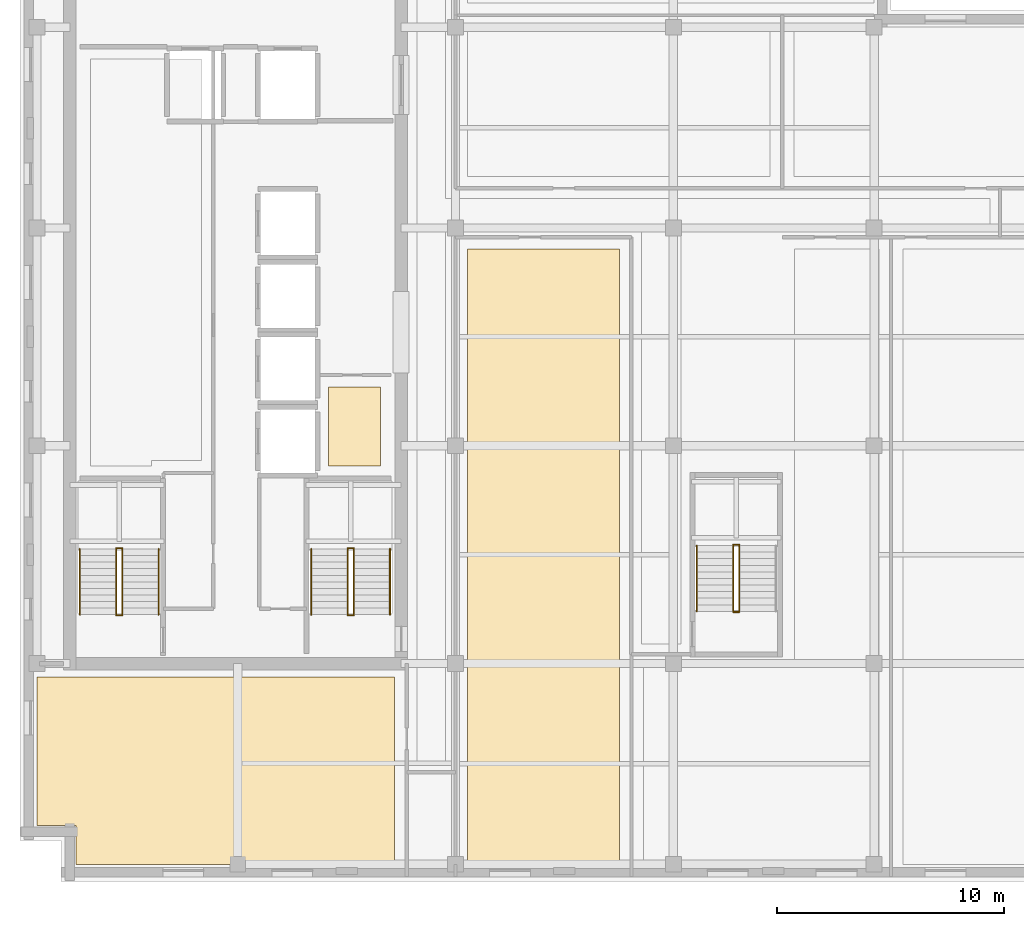
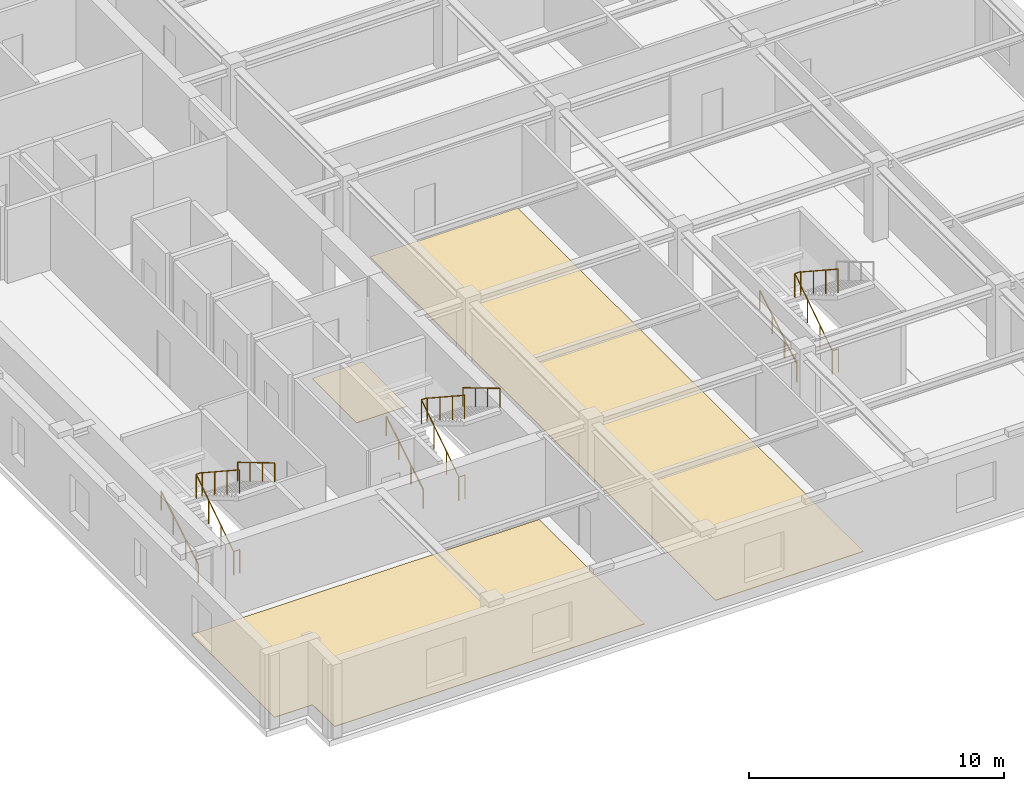
# One storey, part 6 of 10: 17 railings, 3 coverings.
"""IFC4 building model written with IfcOpenShell, lengths in metres."""

import ifcopenshell
import ifcopenshell.guid

model = None  # the IFC model being written
_history = None  # IfcOwnerHistory: only IFC2X3 demands one
_inside = {}  # id of a spatial element -> (the spatial element, [elements in it])
_under = {}  # id of a project, library or spatial element -> (it, [spatial elements below it])
_declared = {}  # id of a project -> (the project, [libraries it declares])
_typed = {}  # id of a type object -> (the type object, [elements of that type])
_made_of = {}  # id of a material, layer set ... -> (it, [elements and type objects made of it])


def new_model(schema):
    """Start an empty IFC model of exactly this schema.

    Asked for "IFC4X3", IfcOpenShell would pick the latest addendum, in which some entities
    have other attributes; the version numbers below select the first issue.
    IFC2X3 requires an IfcOwnerHistory on every rooted entity: one is made here for all.
    """
    global model, _history
    if schema == "IFC4X3":
        model = ifcopenshell.file(schema_version=(4, 3, 0, 0))
    else:
        model = ifcopenshell.file(schema=schema)
    _inside.clear()
    _under.clear()
    _declared.clear()
    _typed.clear()
    _made_of.clear()
    _history = None
    if model.schema == "IFC2X3":
        org = make("IfcOrganization", Name="unknown")
        user = make(
            "IfcPersonAndOrganization",
            ThePerson=make("IfcPerson", FamilyName="unknown"),
            TheOrganization=org,
        )
        app = make(
            "IfcApplication",
            ApplicationDeveloper=org,
            Version="unknown",
            ApplicationFullName="unknown",
            ApplicationIdentifier="unknown",
        )
        _history = make(
            "IfcOwnerHistory",
            OwningUser=user,
            OwningApplication=app,
            ChangeAction="ADDED",
            CreationDate=0,
        )
    return model


def make(cls, **values):
    """One entity of the class cls with the attributes given. An attribute that is None is left unset."""
    return model.create_entity(
        cls, **{name: value for name, value in values.items() if value is not None}
    )


def rooted(cls, **values):
    """An entity with a GlobalId (a new one), such as an element, a storey or a relation."""
    return make(cls, GlobalId=ifcopenshell.guid.new(), OwnerHistory=_history, **values)


def si_unit(unit_type, name, prefix=None):
    """IfcSIUnit, for example si_unit("LENGTHUNIT", "METRE", prefix="MILLI")."""
    return make("IfcSIUnit", UnitType=unit_type, Prefix=prefix, Name=name)


def assignment(units):
    """IfcUnitAssignment: the units of a project."""
    return None if units is None else make("IfcUnitAssignment", Units=units)


def point(xyz):
    """IfcCartesianPoint."""
    return None if xyz is None else make("IfcCartesianPoint", Coordinates=xyz)


def direction(xyz):
    """IfcDirection."""
    return None if xyz is None else make("IfcDirection", DirectionRatios=xyz)


def frame(location, z_axis=None, x_axis=None):
    """IfcAxis2Placement3D, a coordinate frame: its origin and axes. An axis left out is left unset."""
    return make(
        "IfcAxis2Placement3D",
        Location=point(location),
        Axis=direction(z_axis),
        RefDirection=direction(x_axis),
    )


def frame_2d(location, x_axis=None):
    """IfcAxis2Placement2D, a coordinate frame in the plane: its origin and x axis."""
    return make(
        "IfcAxis2Placement2D", Location=point(location), RefDirection=direction(x_axis)
    )


def origin():
    """The frame at (0, 0, 0) with its axes left unset."""
    return frame((0.0, 0.0, 0.0))


def origin_2d():
    """The frame at (0, 0) in the plane with its x axis left unset."""
    return frame_2d((0.0, 0.0))


def place(relative_to, where):
    """IfcLocalPlacement: puts the frame where relative to a parent placement (None: the world)."""
    return make(
        "IfcLocalPlacement", PlacementRelTo=relative_to, RelativePlacement=where
    )


def context(
    kind, dimensions, precision=None, world=None, true_north=None, identifier=None
):
    """IfcGeometricRepresentationContext, for example the 3D "Model" context."""
    return make(
        "IfcGeometricRepresentationContext",
        ContextIdentifier=identifier,
        ContextType=kind,
        CoordinateSpaceDimension=dimensions,
        Precision=precision,
        WorldCoordinateSystem=world,
        TrueNorth=true_north,
    )


def subcontext(parent, identifier, kind, view, scale=None):
    """IfcGeometricRepresentationSubContext, for example "Body" below "Model"."""
    return make(
        "IfcGeometricRepresentationSubContext",
        ContextIdentifier=identifier,
        ContextType=kind,
        ParentContext=parent,
        TargetScale=scale,
        TargetView=view,
    )


def project(units=None, contexts=None):
    """IfcProject with its units and contexts."""
    return rooted(
        "IfcProject",
        Name="project",
        RepresentationContexts=contexts,
        UnitsInContext=assignment(units),
    )


def spatial(cls, under=None, at=None, **own):
    """A site, building, storey or space (cls), placed at a placement, below another one or the project."""
    s = rooted(cls, ObjectPlacement=at, **own)
    if under is not None:
        _under.setdefault(under.id(), (under, []))[1].append(s)
    return s


def polyline(points):
    """IfcPolyline through the points."""
    return make("IfcPolyline", Points=[point(p) for p in points])


def profile(cls, at=None, kind="AREA", **sizes):
    """A parametric profile (cls). Its sizes go by their IFC names, for example OverallWidth=200.0."""
    return make(cls, ProfileType=kind, Position=at, **sizes)


def circle(**sizes):
    """IfcCircleProfileDef."""
    return profile("IfcCircleProfileDef", **sizes)


def outline(outer, holes=None, kind="AREA"):
    """IfcArbitraryClosedProfileDef: a profile drawn as a closed curve; with holes, ...WithVoids."""
    if holes is None:
        return make("IfcArbitraryClosedProfileDef", ProfileType=kind, OuterCurve=outer)
    return make(
        "IfcArbitraryProfileDefWithVoids",
        ProfileType=kind,
        OuterCurve=outer,
        InnerCurves=holes,
    )


def extrude(swept, where, along, depth):
    """IfcExtrudedAreaSolid: the profile swept, set in the frame where, extruded along a direction by depth."""
    return make(
        "IfcExtrudedAreaSolid",
        SweptArea=swept,
        Position=where,
        ExtrudedDirection=direction(along),
        Depth=depth,
    )


def shape(context_of_items, identifier, shape_type, items):
    """IfcShapeRepresentation: the items that make up one representation, for example the "Body"."""
    return make(
        "IfcShapeRepresentation",
        ContextOfItems=context_of_items,
        RepresentationIdentifier=identifier,
        RepresentationType=shape_type,
        Items=items,
    )


def material(Name=None, Category=None):
    """IfcMaterial."""
    return make("IfcMaterial", Name=Name, Category=Category)


def layer(
    of_material, thickness, ventilated=None, Name=None, Category=None, Priority=None
):
    """IfcMaterialLayer: one layer of a wall or slab, of a material (None: an air gap)."""
    return make(
        "IfcMaterialLayer",
        Material=of_material,
        LayerThickness=thickness,
        IsVentilated=ventilated,
        Name=Name,
        Category=Category,
        Priority=Priority,
    )


def layer_set(layers, Name=None):
    """IfcMaterialLayerSet."""
    return make("IfcMaterialLayerSet", MaterialLayers=layers, LayerSetName=Name)


def made_of(thing, what):
    """Note that an element or type object is made of a material, layer set ...; save() writes the relation."""
    if what is not None:
        _made_of.setdefault(what.id(), (what, []))[1].append(thing)
    return thing


def type_object(cls, material=None, **own):
    """A type object (cls), such as IfcWallType, which elements share."""
    return made_of(rooted(cls, **own), material)


def element(
    cls,
    number,
    at=None,
    inside=None,
    cuts=None,
    type_object=None,
    material=None,
    context=None,
    identifier="Body",
    shape_type=None,
    held_by="IfcProductDefinitionShape",
    body=None,
    shapes=None,
    **own,
):
    """One element of the class cls, such as IfcWall. Its Tag is "e" and its number.

    at: its placement. inside: the storey or other place that contains it. cuts: it is an
    opening in that element (IfcRelVoidsElement). A single representation is given by context,
    identifier, shape_type and body (its items); several are given by shapes. held_by: the class
    of the entity that holds the representations. save() writes the other relations.
    """
    e = rooted(cls, Tag="e%d" % number, ObjectPlacement=at, **own)
    if body is not None:
        shapes = [shape(context, identifier, shape_type, body)]
    if shapes is not None:
        e.Representation = make(held_by, Representations=shapes)
    if inside is not None:
        _inside.setdefault(inside.id(), (inside, []))[1].append(e)
    if cuts is not None:
        rooted(
            "IfcRelVoidsElement", RelatingBuildingElement=cuts, RelatedOpeningElement=e
        )
    if type_object is not None:
        _typed.setdefault(type_object.id(), (type_object, []))[1].append(e)
    return made_of(e, material)


def aggregate(whole, parts):
    """IfcRelAggregates: a whole, such as a stair, and the parts it consists of."""
    return rooted("IfcRelAggregates", RelatingObject=whole, RelatedObjects=parts)


def save(model, path):
    """Write the relations noted so far, then the file.

    IfcRelAggregates (storeys below a building ...), IfcRelContainedInSpatialStructure (elements
    in a storey), IfcRelDefinesByType, IfcRelAssociatesMaterial and IfcRelDeclares: one each for
    every whole, place, type object, material and project.
    """
    for whole, parts in _under.values():
        aggregate(whole, parts)
    for where, things in _inside.values():
        rooted(
            "IfcRelContainedInSpatialStructure",
            RelatedElements=things,
            RelatingStructure=where,
        )
    for kind, things in _typed.values():
        rooted("IfcRelDefinesByType", RelatedObjects=things, RelatingType=kind)
    for what, things in _made_of.values():
        rooted("IfcRelAssociatesMaterial", RelatedObjects=things, RelatingMaterial=what)
    for by, libraries in _declared.values():
        rooted("IfcRelDeclares", RelatingContext=by, RelatedDefinitions=libraries)
    model.write(path)


model = new_model("IFC4")

# Units and contexts
model_context = context("Model", 3, precision=1e-05, world=origin(), true_north=direction((0.0, 1.0)))
body_context = subcontext(model_context, "Body", "Model", "MODEL_VIEW")
ifc_project = project(units=[si_unit("LENGTHUNIT", "METRE"), si_unit("AREAUNIT", "SQUARE_METRE"), si_unit("VOLUMEUNIT", "CUBIC_METRE"), si_unit("PLANEANGLEUNIT", "RADIAN"), si_unit("MASSUNIT", "GRAM", prefix="KILO")], contexts=[model_context])

# Site, building, storey
site_placement = place(None, origin())
site = spatial("IfcSite", under=ifc_project, at=site_placement, CompositionType="ELEMENT")
building_placement = place(site_placement, origin())
building = spatial("IfcBuilding", under=site, at=building_placement, Name="Norrvale University Quadrangle", CompositionType="ELEMENT")
storey_placement = place(building_placement, frame((0.0, 0.0, 296.199951171875)))
storey = spatial("IfcBuildingStorey", under=building, at=storey_placement, Name="L75", CompositionType="ELEMENT", Elevation=296.199951171875)

# Coverings
ifc_material_1 = material(Name="Polished Terrazzo Flooring")
ifc_layer = layer(ifc_material_1, 0.02490234375, Name="Polished Terrazzo Flooring")
ifc_layer_set = layer_set([ifc_layer], Name="Polished Terrazzo Flooring")
covering_type = type_object("IfcCoveringType", Name="Covering Terrazzo Floor 30", PredefinedType="FLOORING", material=ifc_layer_set)
covering_1_placement = place(storey_placement, origin())
element("IfcCovering", 1, at=covering_1_placement, inside=storey, type_object=covering_type, Name="Terrazzo Flooring RM-L75-JAN", PredefinedType="FLOORING", context=body_context, shape_type="SweptSolid", body=[
    extrude(outline(polyline([(13.60009765625, 18.300048828125), (13.60009765625, 21.800048828125), (15.89990234375, 21.800048828125), (15.89990234375, 18.300048828125), (13.60009765625, 18.300048828125)])), origin(), (0.0, 0.0, 1.0), 0.025146484375),
])
covering_2_placement = place(storey_placement, origin())
element("IfcCovering", 2, at=covering_2_placement, inside=storey, type_object=covering_type, Name="Terrazzo Flooring RM-L75-SW1", PredefinedType="FLOORING", context=body_context, shape_type="SweptSolid", body=[
    extrude(outline(polyline([(0.75, 9.0), (16.5, 9.0), (16.5, 0.75), (2.469970703125, 0.75), (2.469970703125, 2.469970703125), (0.75, 2.469970703125), (0.75, 9.0)])), origin(), (0.0, 0.0, 1.0), 0.025146484375),
])
covering_3_placement = place(storey_placement, origin())
element("IfcCovering", 3, at=covering_3_placement, inside=storey, type_object=covering_type, Name="Terrazzo Flooring RM-L75-SE1", PredefinedType="FLOORING", context=body_context, shape_type="SweptSolid", body=[
    extrude(outline(polyline([(19.72998046875, 27.8701171875), (26.419921875, 27.8701171875), (26.419921875, 0.75), (19.72998046875, 0.75), (19.72998046875, 27.8701171875)])), origin(), (0.0, 0.0, 1.0), 0.025146484375),
])

# Railings
ifc_material_2 = material(Name="Steel 350W Painted Balustrade", Category="steel")
railing_type_1 = type_object("IfcRailingType", Name="Railing Stair Guard 1100", PredefinedType="GUARDRAIL", material=ifc_material_2)
for number, where, name in (
    (4, (4.239990234375, 11.719970703125, 0.0), "Stair Floor Well Guard ST-01 L75"),
    (5, (4.239990234375, 14.679931640625, 1.900146484375), "Stair Mid-Landing Slot Guard ST-01 L75"),
):
    element("IfcRailing", number, at=place(storey_placement, frame(where)), inside=storey, type_object=railing_type_1, Name=name, PredefinedType="GUARDRAIL", context=body_context, shape_type="SweptSolid", body=[
        extrude(circle(Radius=0.02392578125, at=origin_2d()), frame((0.0, 0.0, 1.1259765625), z_axis=(1.0, 0.0, 0.0), x_axis=(0.0, 1.0, 0.0)), (0.0, 0.0, 1.0), 0.27001953125),
        extrude(circle(Radius=0.02099609375, at=origin_2d()), origin(), (0.0, 0.0, 1.0), 1.101806640625),
        extrude(circle(Radius=0.02099609375, at=origin_2d()), frame((0.27001953125, 0.0, 0.0)), (0.0, 0.0, 1.0), 1.101806640625),
    ])
railing_1_placement = place(storey_placement, frame((4.239990234375, 11.75, 0.0)))
element("IfcRailing", 6, at=railing_1_placement, inside=storey, type_object=railing_type_1, Name="Stair Lower Flight Inner Guard ST-01 L75", PredefinedType="GUARDRAIL", context=body_context, shape_type="SweptSolid", body=[
    extrude(circle(Radius=0.02392578125, at=origin_2d()), frame((0.0, 0.0, 1.1259765625), z_axis=(0.0, 0.836433300813, 0.548068730445), x_axis=(-1.0, 0.0, 0.0)), (0.0, 0.0, 1.0), 3.467041015625),
    extrude(circle(Radius=0.02099609375, at=origin_2d()), origin(), (0.0, 0.0, 1.0), 1.101806640625),
    extrude(circle(Radius=0.02099609375, at=origin_2d()), frame((0.0, 0.966552734375, 0.63330078125)), (0.0, 0.0, 1.0), 1.101806640625),
    extrude(circle(Radius=0.02099609375, at=origin_2d()), frame((0.0, 1.933349609375, 1.266845703125)), (0.0, 0.0, 1.0), 1.101806640625),
    extrude(circle(Radius=0.02099609375, at=origin_2d()), frame((0.0, 2.89990234375, 1.900146484375)), (0.0, 0.0, 1.0), 1.101806640625),
])
railing_2_placement = place(storey_placement, frame((4.510009765625, 14.64990234375, 1.900146484375)))
element("IfcRailing", 7, at=railing_2_placement, inside=storey, type_object=railing_type_1, Name="Stair Upper Flight Inner Guard ST-01 L75", PredefinedType="GUARDRAIL", context=body_context, shape_type="SweptSolid", body=[
    extrude(circle(Radius=0.02392578125, at=origin_2d()), frame((0.0, 0.0, 1.1259765625), z_axis=(0.0, -0.836465582154, 0.548019461216), x_axis=(1.0, 0.0, 0.0)), (0.0, 0.0, 1.0), 3.466796875),
    extrude(circle(Radius=0.02099609375, at=origin_2d()), origin(), (0.0, 0.0, 1.0), 1.101806640625),
    extrude(circle(Radius=0.02099609375, at=origin_2d()), frame((0.0, -0.966552734375, 0.63330078125)), (0.0, 0.0, 1.0), 1.101806640625),
    extrude(circle(Radius=0.02099609375, at=origin_2d()), frame((0.0, -1.933349609375, 1.2666015625)), (0.0, 0.0, 1.0), 1.101806640625),
    extrude(circle(Radius=0.02099609375, at=origin_2d()), frame((0.0, -2.89990234375, 1.89990234375)), (0.0, 0.0, 1.0), 1.101806640625),
])
for number, where, name in (
    (8, (14.43994140625, 11.719970703125, 0.0), "Stair Floor Well Guard ST-03 L75"),
    (9, (14.43994140625, 14.679931640625, 1.900146484375), "Stair Mid-Landing Slot Guard ST-03 L75"),
):
    element("IfcRailing", number, at=place(storey_placement, frame(where)), inside=storey, type_object=railing_type_1, Name=name, PredefinedType="GUARDRAIL", context=body_context, shape_type="SweptSolid", body=[
        extrude(circle(Radius=0.02392578125, at=origin_2d()), frame((0.0, 0.0, 1.1259765625), z_axis=(1.0, 0.0, 0.0), x_axis=(0.0, 1.0, 0.0)), (0.0, 0.0, 1.0), 0.27001953125),
        extrude(circle(Radius=0.02099609375, at=origin_2d()), origin(), (0.0, 0.0, 1.0), 1.101806640625),
        extrude(circle(Radius=0.02099609375, at=origin_2d()), frame((0.27001953125, 0.0, 0.0)), (0.0, 0.0, 1.0), 1.101806640625),
    ])
railing_3_placement = place(storey_placement, frame((14.43994140625, 11.75, 0.0)))
element("IfcRailing", 10, at=railing_3_placement, inside=storey, type_object=railing_type_1, Name="Stair Lower Flight Inner Guard ST-03 L75", PredefinedType="GUARDRAIL", context=body_context, shape_type="SweptSolid", body=[
    extrude(circle(Radius=0.02392578125, at=origin_2d()), frame((0.0, 0.0, 1.1259765625), z_axis=(0.0, 0.836433300813, 0.548068730445), x_axis=(-1.0, 0.0, 0.0)), (0.0, 0.0, 1.0), 3.467041015625),
    extrude(circle(Radius=0.02099609375, at=origin_2d()), origin(), (0.0, 0.0, 1.0), 1.101806640625),
    extrude(circle(Radius=0.02099609375, at=origin_2d()), frame((0.0, 0.966552734375, 0.63330078125)), (0.0, 0.0, 1.0), 1.101806640625),
    extrude(circle(Radius=0.02099609375, at=origin_2d()), frame((0.0, 1.933349609375, 1.266845703125)), (0.0, 0.0, 1.0), 1.101806640625),
    extrude(circle(Radius=0.02099609375, at=origin_2d()), frame((0.0, 2.89990234375, 1.900146484375)), (0.0, 0.0, 1.0), 1.101806640625),
])
railing_4_placement = place(storey_placement, frame((14.7099609375, 14.64990234375, 1.900146484375)))
element("IfcRailing", 11, at=railing_4_placement, inside=storey, type_object=railing_type_1, Name="Stair Upper Flight Inner Guard ST-03 L75", PredefinedType="GUARDRAIL", context=body_context, shape_type="SweptSolid", body=[
    extrude(circle(Radius=0.02392578125, at=origin_2d()), frame((0.0, 0.0, 1.1259765625), z_axis=(0.0, -0.836465582154, 0.548019461216), x_axis=(1.0, 0.0, 0.0)), (0.0, 0.0, 1.0), 3.466796875),
    extrude(circle(Radius=0.02099609375, at=origin_2d()), origin(), (0.0, 0.0, 1.0), 1.101806640625),
    extrude(circle(Radius=0.02099609375, at=origin_2d()), frame((0.0, -0.966552734375, 0.63330078125)), (0.0, 0.0, 1.0), 1.101806640625),
    extrude(circle(Radius=0.02099609375, at=origin_2d()), frame((0.0, -1.933349609375, 1.2666015625)), (0.0, 0.0, 1.0), 1.101806640625),
    extrude(circle(Radius=0.02099609375, at=origin_2d()), frame((0.0, -2.89990234375, 1.89990234375)), (0.0, 0.0, 1.0), 1.101806640625),
])
for number, where, name in (
    (12, (31.43994140625, 11.8701171875, 0.0), "Stair Floor Well Guard ST-04 L75"),
    (13, (31.43994140625, 14.830078125, 1.900146484375), "Stair Mid-Landing Slot Guard ST-04 L75"),
):
    element("IfcRailing", number, at=place(storey_placement, frame(where)), inside=storey, type_object=railing_type_1, Name=name, PredefinedType="GUARDRAIL", context=body_context, shape_type="SweptSolid", body=[
        extrude(circle(Radius=0.02392578125, at=origin_2d()), frame((0.0, 0.0, 1.1259765625), z_axis=(1.0, 0.0, 0.0), x_axis=(0.0, 1.0, 0.0)), (0.0, 0.0, 1.0), 0.27001953125),
        extrude(circle(Radius=0.02099609375, at=origin_2d()), origin(), (0.0, 0.0, 1.0), 1.101806640625),
        extrude(circle(Radius=0.02099609375, at=origin_2d()), frame((0.27001953125, 0.0, 0.0)), (0.0, 0.0, 1.0), 1.101806640625),
    ])
railing_5_placement = place(storey_placement, frame((31.43994140625, 11.89990234375, 0.0)))
element("IfcRailing", 14, at=railing_5_placement, inside=storey, type_object=railing_type_1, Name="Stair Lower Flight Inner Guard ST-04 L75", PredefinedType="GUARDRAIL", context=body_context, shape_type="SweptSolid", body=[
    extrude(circle(Radius=0.02392578125, at=origin_2d()), frame((0.0, 0.0, 1.1259765625), z_axis=(0.0, 0.836454451266, 0.548036450392), x_axis=(-1.0, 0.0, 0.0)), (0.0, 0.0, 1.0), 3.46728515625),
    extrude(circle(Radius=0.02099609375, at=origin_2d()), origin(), (0.0, 0.0, 1.0), 1.101806640625),
    extrude(circle(Radius=0.02099609375, at=origin_2d()), frame((0.0, 0.966796875, 0.63330078125)), (0.0, 0.0, 1.0), 1.101806640625),
    extrude(circle(Radius=0.02099609375, at=origin_2d()), frame((0.0, 1.933349609375, 1.266845703125)), (0.0, 0.0, 1.0), 1.101806640625),
    extrude(circle(Radius=0.02099609375, at=origin_2d()), frame((0.0, 2.900146484375, 1.900146484375)), (0.0, 0.0, 1.0), 1.101806640625),
])
railing_6_placement = place(storey_placement, frame((31.7099609375, 14.800048828125, 1.900146484375)))
element("IfcRailing", 15, at=railing_6_placement, inside=storey, type_object=railing_type_1, Name="Stair Upper Flight Inner Guard ST-04 L75", PredefinedType="GUARDRAIL", context=body_context, shape_type="SweptSolid", body=[
    extrude(circle(Radius=0.02392578125, at=origin_2d()), frame((0.0, 0.0, 1.1259765625), z_axis=(0.0, -0.836486729621, 0.547987181573), x_axis=(1.0, 0.0, 0.0)), (0.0, 0.0, 1.0), 3.467041015625),
    extrude(circle(Radius=0.02099609375, at=origin_2d()), origin(), (0.0, 0.0, 1.0), 1.101806640625),
    extrude(circle(Radius=0.02099609375, at=origin_2d()), frame((0.0, -0.966796875, 0.63330078125)), (0.0, 0.0, 1.0), 1.101806640625),
    extrude(circle(Radius=0.02099609375, at=origin_2d()), frame((0.0, -1.933349609375, 1.2666015625)), (0.0, 0.0, 1.0), 1.101806640625),
    extrude(circle(Radius=0.02099609375, at=origin_2d()), frame((0.0, -2.900146484375, 1.89990234375)), (0.0, 0.0, 1.0), 1.101806640625),
])
ifc_material_3 = material(Name="Stainless Steel 316L Handrail", Category="steel")
railing_type_2 = type_object("IfcRailingType", Name="Railing Stair Handrail 920", PredefinedType="HANDRAIL", material=ifc_material_3)
railing_7_placement = place(storey_placement, frame((2.639892578125, 11.75, 0.1728515625)))
element("IfcRailing", 16, at=railing_7_placement, inside=storey, type_object=railing_type_2, Name="Stair Lower Flight Handrail ST-01 L75", PredefinedType="HANDRAIL", context=body_context, shape_type="SweptSolid", body=[
    extrude(circle(Radius=0.02392578125, at=origin_2d()), frame((0.0, 0.0, 0.89599609375), z_axis=(0.0, 0.859141464434, 0.511738159696), x_axis=(-1.0, 0.0, 0.0)), (0.0, 0.0, 1.0), 3.375244140625),
    extrude(circle(Radius=0.02099609375, at=origin_2d()), origin(), (0.0, 0.0, 1.0), 0.871826171875),
    extrude(circle(Radius=0.02099609375, at=origin_2d()), frame((0.0, 0.966552734375, 0.57568359375)), (0.0, 0.0, 1.0), 0.871826171875),
    extrude(circle(Radius=0.02099609375, at=origin_2d()), frame((0.0, 1.933349609375, 1.151611328125)), (0.0, 0.0, 1.0), 0.871826171875),
    extrude(circle(Radius=0.02099609375, at=origin_2d()), frame((0.0, 2.89990234375, 1.727294921875)), (0.0, 0.0, 1.0), 0.871826171875),
])
railing_8_placement = place(storey_placement, frame((6.110107421875, 14.64990234375, 2.07275390625)))
element("IfcRailing", 17, at=railing_8_placement, inside=storey, type_object=railing_type_2, Name="Stair Upper Flight Handrail ST-01 L75", PredefinedType="HANDRAIL", context=body_context, shape_type="SweptSolid", body=[
    extrude(circle(Radius=0.02392578125, at=origin_2d()), frame((0.0, 0.0, 0.89599609375), z_axis=(0.0, -0.859141464434, 0.511738159696), x_axis=(1.0, 0.0, 0.0)), (0.0, 0.0, 1.0), 3.375244140625),
    extrude(circle(Radius=0.02099609375, at=origin_2d()), origin(), (0.0, 0.0, 1.0), 0.871826171875),
    extrude(circle(Radius=0.02099609375, at=origin_2d()), frame((0.0, -0.966552734375, 0.57568359375)), (0.0, 0.0, 1.0), 0.871826171875),
    extrude(circle(Radius=0.02099609375, at=origin_2d()), frame((0.0, -1.933349609375, 1.151611328125)), (0.0, 0.0, 1.0), 0.871826171875),
    extrude(circle(Radius=0.02099609375, at=origin_2d()), frame((0.0, -2.89990234375, 1.727294921875)), (0.0, 0.0, 1.0), 0.871826171875),
])
railing_9_placement = place(storey_placement, frame((12.840087890625, 11.75, 0.1728515625)))
element("IfcRailing", 18, at=railing_9_placement, inside=storey, type_object=railing_type_2, Name="Stair Lower Flight Handrail ST-03 L75", PredefinedType="HANDRAIL", context=body_context, shape_type="SweptSolid", body=[
    extrude(circle(Radius=0.02392578125, at=origin_2d()), frame((0.0, 0.0, 0.89599609375), z_axis=(0.0, 0.859141464434, 0.511738159696), x_axis=(-1.0, 0.0, 0.0)), (0.0, 0.0, 1.0), 3.375244140625),
    extrude(circle(Radius=0.02099609375, at=origin_2d()), origin(), (0.0, 0.0, 1.0), 0.871826171875),
    extrude(circle(Radius=0.02099609375, at=origin_2d()), frame((0.0, 0.966552734375, 0.57568359375)), (0.0, 0.0, 1.0), 0.871826171875),
    extrude(circle(Radius=0.02099609375, at=origin_2d()), frame((0.0, 1.933349609375, 1.151611328125)), (0.0, 0.0, 1.0), 0.871826171875),
    extrude(circle(Radius=0.02099609375, at=origin_2d()), frame((0.0, 2.89990234375, 1.727294921875)), (0.0, 0.0, 1.0), 0.871826171875),
])
railing_10_placement = place(storey_placement, frame((16.31005859375, 14.64990234375, 2.07275390625)))
element("IfcRailing", 19, at=railing_10_placement, inside=storey, type_object=railing_type_2, Name="Stair Upper Flight Handrail ST-03 L75", PredefinedType="HANDRAIL", context=body_context, shape_type="SweptSolid", body=[
    extrude(circle(Radius=0.02392578125, at=origin_2d()), frame((0.0, 0.0, 0.89599609375), z_axis=(0.0, -0.859141464434, 0.511738159696), x_axis=(1.0, 0.0, 0.0)), (0.0, 0.0, 1.0), 3.375244140625),
    extrude(circle(Radius=0.02099609375, at=origin_2d()), origin(), (0.0, 0.0, 1.0), 0.871826171875),
    extrude(circle(Radius=0.02099609375, at=origin_2d()), frame((0.0, -0.966552734375, 0.57568359375)), (0.0, 0.0, 1.0), 0.871826171875),
    extrude(circle(Radius=0.02099609375, at=origin_2d()), frame((0.0, -1.933349609375, 1.151611328125)), (0.0, 0.0, 1.0), 0.871826171875),
    extrude(circle(Radius=0.02099609375, at=origin_2d()), frame((0.0, -2.89990234375, 1.727294921875)), (0.0, 0.0, 1.0), 0.871826171875),
])
railing_11_placement = place(storey_placement, frame((29.840087890625, 11.89990234375, 0.1728515625)))
element("IfcRailing", 20, at=railing_11_placement, inside=storey, type_object=railing_type_2, Name="Stair Lower Flight Handrail ST-04 L75", PredefinedType="HANDRAIL", context=body_context, shape_type="SweptSolid", body=[
    extrude(circle(Radius=0.02392578125, at=origin_2d()), frame((0.0, 0.0, 0.89599609375), z_axis=(0.0, 0.859160404282, 0.51170636083), x_axis=(-1.0, 0.0, 0.0)), (0.0, 0.0, 1.0), 3.37548828125),
    extrude(circle(Radius=0.02099609375, at=origin_2d()), origin(), (0.0, 0.0, 1.0), 0.871826171875),
    extrude(circle(Radius=0.02099609375, at=origin_2d()), frame((0.0, 0.966796875, 0.57568359375)), (0.0, 0.0, 1.0), 0.871826171875),
    extrude(circle(Radius=0.02099609375, at=origin_2d()), frame((0.0, 1.933349609375, 1.151611328125)), (0.0, 0.0, 1.0), 0.871826171875),
    extrude(circle(Radius=0.02099609375, at=origin_2d()), frame((0.0, 2.900146484375, 1.727294921875)), (0.0, 0.0, 1.0), 0.871826171875),
])

save(model, "model.ifc")
